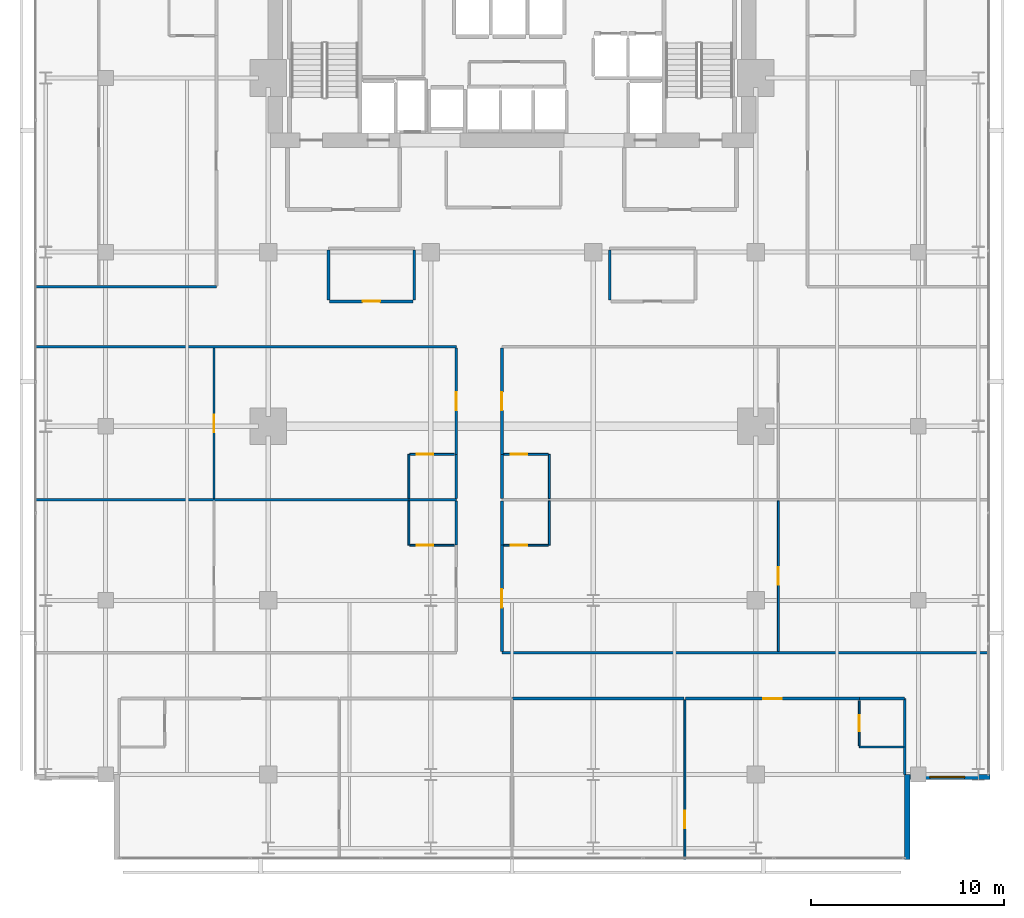
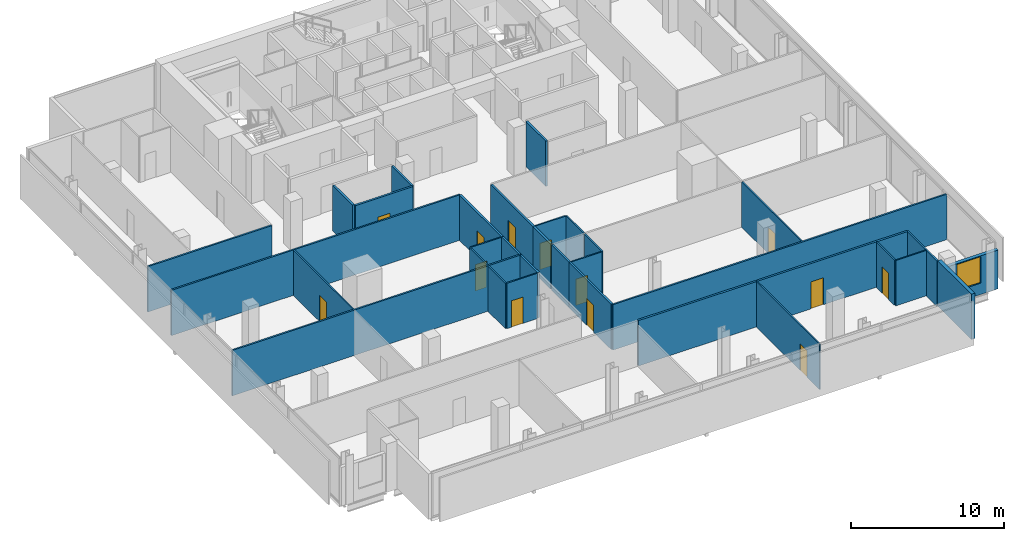
# One storey, part 27 of 32: 34 walls, 13 doors, 1 window, 14 openings.
"""IFC4 building model written with IfcOpenShell, lengths in metres."""

from ifc_helpers import new_model, si_unit, direction, frame, frame_2d, origin, place, context, subcontext, project, spatial, rectangle, extrude, material, layer, layer_set, type_object, element, fill, save


model = new_model("IFC4")

# Units and contexts
model_context = context("Model", 3, precision=1e-05, world=origin(), true_north=direction((0.0, 1.0)))
body_context = subcontext(model_context, "Body", "Model", "MODEL_VIEW")
ifc_project = project(units=[si_unit("LENGTHUNIT", "METRE"), si_unit("AREAUNIT", "SQUARE_METRE"), si_unit("VOLUMEUNIT", "CUBIC_METRE"), si_unit("PLANEANGLEUNIT", "RADIAN"), si_unit("MASSUNIT", "GRAM", prefix="KILO")], contexts=[model_context])

# Site, building, storey
site_placement = place(None, origin())
site = spatial("IfcSite", under=ifc_project, at=site_placement, CompositionType="ELEMENT")
building_placement = place(site_placement, origin())
building = spatial("IfcBuilding", under=site, at=building_placement, Name="Maruvema Waterfront Hotel and Observation Tower", CompositionType="ELEMENT")
storey_placement = place(building_placement, frame((0.0, 0.0, 219.800048828125)))
storey = spatial("IfcBuildingStorey", under=building, at=storey_placement, Name="L54", CompositionType="ELEMENT", Elevation=219.800048828125)

# Walls
ifc_material_1 = material(Name="Twin-stud acoustic gypsum drywall", Category="gypsum")
ifc_layer_1 = layer(ifc_material_1, 0.14990234375, Name="Acoustic Corridor and Suite Demising Wall 150 mm")
ifc_layer_set_1 = layer_set([ifc_layer_1], Name="Twin-stud acoustic gypsum drywall")
wall_type_1 = type_object("IfcWallType", Name="Acoustic Corridor and Suite Demising Wall 150 mm", PredefinedType="PARTITIONING", material=ifc_layer_set_1)
for number, where, z_axis, x_axis, name in (
    (1, (28.320068359375, 33.530029296875, 0.0), (0.0, 0.0, 1.0), (0.0, 1.0, 0.0), "L54 L54-M1 West Wall 022"),
    (2, (32.75, 33.530029296875, 0.0), (0.0, 0.0, 1.0), (0.0, 1.0, 0.0), "L54 L54-M1 East Wall 023"),
):
    element("IfcWall", number, at=place(storey_placement, frame(where, z_axis=z_axis, x_axis=x_axis)), inside=storey, type_object=wall_type_1, Name=name, PredefinedType="PARTITIONING", context=body_context, shape_type="SweptSolid", body=[
        extrude(rectangle(XDim=2.590087890625, YDim=0.14990234375, at=frame_2d((1.294921875, 0.0))), origin(), (0.0, 0.0, 1.0), 3.60986328125),
    ])

# Wall, opening, door
wall_1_placement = place(storey_placement, frame((28.3798828125, 33.449951171875, 0.0), z_axis=(0.0, 0.0, 1.0), x_axis=(1.0, 0.0, 0.0)))
wall_1 = element("IfcWall", 3, at=wall_1_placement, inside=storey, type_object=wall_type_1, Name="L54 L54-M1 Front 1 024", PredefinedType="PARTITIONING", context=body_context, shape_type="SweptSolid", body=[
    extrude(rectangle(XDim=4.31005859375, YDim=0.14990234375, at=frame_2d((2.155029296875, 0.0))), origin(), (0.0, 0.0, 1.0), 3.60986328125),
])
opening_1_placement = place(wall_1_placement, frame((1.705078125, 0.0, 0.0)))
opening_1 = element("IfcOpeningElement", 4, at=opening_1_placement, cuts=wall_1, Name="Opening DR-090", PredefinedType="OPENING", context=body_context, shape_type="SweptSolid", body=[
    extrude(rectangle(XDim=0.89990234375, YDim=2.10009765625, at=frame_2d((0.449951171875, 1.050048828125))), frame((0.0, 0.0849609375, 0.0), z_axis=(0.0, -1.0, 0.0), x_axis=(1.0, 0.0, 0.0)), (0.0, 0.0, 1.0), 0.169921875),
])
ifc_material_2 = material(Name="Solid-core lacquered timber leaf", Category="wood")
door_type_1 = type_object("IfcDoorType", Name="Accessible Toilet and Room Door 900x2100 mm", OperationType="NOTDEFINED", PredefinedType="DOOR", material=ifc_material_2)
door_1_placement = place(opening_1_placement, frame((0.89990234375, 0.0, 0.0), z_axis=(0.0, 0.0, 1.0), x_axis=(-1.0, 0.0, 0.0)))
door_1 = element("IfcDoor", 5, at=door_1_placement, inside=storey, type_object=door_type_1, Name="L54 Ambassador Lounge 1 Door", OperationType="SINGLE_SWING_RIGHT", OverallHeight=2.10009765625, OverallWidth=0.89990234375, PredefinedType="DOOR", context=body_context, shape_type="SweptSolid", body=[
    extrude(rectangle(XDim=0.89990234375, YDim=2.10009765625, at=frame_2d((0.449951171875, 1.050048828125))), frame((0.0, 0.02490234375, 0.0), z_axis=(0.0, -1.0, 0.0), x_axis=(1.0, 0.0, 0.0)), (0.0, 0.0, 1.0), 0.050048828125),
])
fill(opening_1, door_1)

# Walls
wall_2_placement = place(storey_placement, frame((42.85009765625, 33.530029296875, 0.0), z_axis=(0.0, 0.0, 1.0), x_axis=(0.0, 1.0, 0.0)))
element("IfcWall", 6, at=wall_2_placement, inside=storey, type_object=wall_type_1, Name="L54 L54-M2 West Wall 026", PredefinedType="PARTITIONING", context=body_context, shape_type="SweptSolid", body=[
    extrude(rectangle(XDim=2.590087890625, YDim=0.14990234375, at=frame_2d((1.294921875, 0.0))), origin(), (0.0, 0.0, 1.0), 3.60986328125),
])
wall_3_placement = place(storey_placement, frame((55.75, 12.919921875, 0.0), z_axis=(0.0, 0.0, 1.0), x_axis=(1.0, 0.0, 0.0)))
element("IfcWall", 7, at=wall_3_placement, inside=storey, type_object=wall_type_1, Name="L54 Bath L54-S2 Back Wall 038", PredefinedType="PARTITIONING", context=body_context, shape_type="SweptSolid", body=[
    extrude(rectangle(XDim=2.330078125, YDim=0.14990234375, at=frame_2d((1.1650390625, 0.0))), origin(), (0.0, 0.0, 1.0), 3.60986328125),
])
wall_4_placement = place(storey_placement, frame((37.820068359375, 12.919921875, 0.0), z_axis=(0.0, 0.0, 1.0), x_axis=(1.0, 0.0, 0.0)))
element("IfcWall", 8, at=wall_4_placement, inside=storey, type_object=wall_type_1, Name="L54 Bedroom L54-S2 Back Wall 041", PredefinedType="PARTITIONING", context=body_context, shape_type="SweptSolid", body=[
    extrude(rectangle(XDim=8.871826171875, YDim=0.14990234375, at=frame_2d((4.43603515625, 0.0))), origin(), (0.0, 0.0, 1.0), 3.60986328125),
])

# Wall, opening, door
wall_5_placement = place(storey_placement, frame((46.77197265625, 12.919921875, 0.0), z_axis=(0.0, 0.0, 1.0), x_axis=(1.0, 0.0, 0.0)))
wall_5 = element("IfcWall", 9, at=wall_5_placement, inside=storey, type_object=wall_type_1, Name="L54 Unit L54-S2 Corridor Wall 042", PredefinedType="PARTITIONING", context=body_context, shape_type="SweptSolid", body=[
    extrude(rectangle(XDim=8.97802734375, YDim=0.14990234375, at=frame_2d((4.489013671875, 0.0))), origin(), (0.0, 0.0, 1.0), 3.60986328125),
])
opening_2_placement = place(wall_5_placement, frame((4.013916015625, 0.0, 0.0)))
opening_2 = element("IfcOpeningElement", 10, at=opening_2_placement, cuts=wall_5, Name="Opening DR-095", PredefinedType="OPENING", context=body_context, shape_type="SweptSolid", body=[
    extrude(rectangle(XDim=0.949951171875, YDim=2.14990234375, at=frame_2d((0.47509765625, 1.074951171875))), frame((0.0, 0.0849609375, 0.0), z_axis=(0.0, -1.0, 0.0), x_axis=(1.0, 0.0, 0.0)), (0.0, 0.0, 1.0), 0.169921875),
])
ifc_material_3 = material(Name="Acoustic solid-core hardwood timber leaf", Category="wood")
door_type_2 = type_object("IfcDoorType", Name="Guestroom Entrance Fire Door 950x2150 mm", OperationType="NOTDEFINED", PredefinedType="DOOR", material=ifc_material_3)
door_2_placement = place(opening_2_placement, frame((0.949951171875, 0.0, 0.0), z_axis=(0.0, 0.0, 1.0), x_axis=(-1.0, 0.0, 0.0)))
door_2 = element("IfcDoor", 11, at=door_2_placement, inside=storey, type_object=door_type_2, Name="L54 Unit L54-S2 Entrance Door", OperationType="SINGLE_SWING_RIGHT", OverallHeight=2.14990234375, OverallWidth=0.949951171875, PredefinedType="DOOR", context=body_context, shape_type="SweptSolid", body=[
    extrude(rectangle(XDim=0.949951171875, YDim=2.14990234375, at=frame_2d((0.47509765625, 1.074951171875))), frame((0.0, 0.02490234375, 0.0), z_axis=(0.0, -1.0, 0.0), x_axis=(1.0, 0.0, 0.0)), (0.0, 0.0, 1.0), 0.050048828125),
])
fill(opening_2, door_2)

# Wall
wall_6_placement = place(storey_placement, frame((34.919921875, 20.85009765625, 0.0), z_axis=(0.0, 0.0, 1.0), x_axis=(0.0, 1.0, 0.0)))
element("IfcWall", 12, at=wall_6_placement, inside=storey, type_object=wall_type_1, Name="L54 Bath L54-W1 Wall 049", PredefinedType="PARTITIONING", context=body_context, shape_type="SweptSolid", body=[
    extrude(rectangle(XDim=2.289794921875, YDim=0.14990234375, at=frame_2d((1.14501953125, 0.0))), origin(), (0.0, 0.0, 1.0), 3.60986328125),
])

# Wall, opening, door
wall_7_placement = place(storey_placement, frame((37.280029296875, 15.360107421875, 0.0), z_axis=(0.0, 0.0, 1.0), x_axis=(0.0, 1.0, 0.0)))
wall_7 = element("IfcWall", 13, at=wall_7_placement, inside=storey, type_object=wall_type_1, Name="L54 Room L54-E1 Corridor Wall 053", PredefinedType="PARTITIONING", context=body_context, shape_type="SweptSolid", body=[
    extrude(rectangle(XDim=5.489990234375, YDim=0.14990234375, at=frame_2d((2.7451171875, 0.0))), origin(), (0.0, 0.0, 1.0), 3.60986328125),
])
opening_3_placement = place(wall_7_placement, frame((2.27001953125, 0.0, 0.0)))
opening_3 = element("IfcOpeningElement", 14, at=opening_3_placement, cuts=wall_7, Name="Opening DR-095", PredefinedType="OPENING", context=body_context, shape_type="SweptSolid", body=[
    extrude(rectangle(XDim=0.949951171875, YDim=2.14990234375, at=frame_2d((0.47509765625, 1.074951171875))), frame((0.0, 0.0849609375, 0.0), z_axis=(0.0, -1.0, 0.0), x_axis=(1.0, 0.0, 0.0)), (0.0, 0.0, 1.0), 0.169921875),
])
door_3_placement = place(opening_3_placement, frame((0.949951171875, 0.0, 0.0), z_axis=(0.0, 0.0, 1.0), x_axis=(-1.0, 0.0, 0.0)))
door_3 = element("IfcDoor", 15, at=door_3_placement, inside=storey, type_object=door_type_2, Name="L54 Room L54-E1 Entrance Door", OperationType="SINGLE_SWING_RIGHT", OverallHeight=2.14990234375, OverallWidth=0.949951171875, PredefinedType="DOOR", context=body_context, shape_type="SweptSolid", body=[
    extrude(rectangle(XDim=0.949951171875, YDim=2.14990234375, at=frame_2d((0.47509765625, 1.074951171875))), frame((0.0, 0.02490234375, 0.0), z_axis=(0.0, -1.0, 0.0), x_axis=(1.0, 0.0, 0.0)), (0.0, 0.0, 1.0), 0.050048828125),
])
fill(opening_3, door_3)

# Walls
wall_8_placement = place(storey_placement, frame((37.280029296875, 20.85009765625, 0.0), z_axis=(0.0, 0.0, 1.0), x_axis=(0.0, 1.0, 0.0)))
element("IfcWall", 16, at=wall_8_placement, inside=storey, type_object=wall_type_1, Name="L54 Bath L54-E1 Wall 054", PredefinedType="PARTITIONING", context=body_context, shape_type="SweptSolid", body=[
    extrude(rectangle(XDim=2.289794921875, YDim=0.14990234375, at=frame_2d((1.14501953125, 0.0))), origin(), (0.0, 0.0, 1.0), 3.60986328125),
])
wall_9_placement = place(storey_placement, frame((34.919921875, 23.260009765625, 0.0), z_axis=(0.0, 0.0, 1.0), x_axis=(0.0, 1.0, 0.0)))
element("IfcWall", 17, at=wall_9_placement, inside=storey, type_object=wall_type_1, Name="L54 Bath L54-W2 Wall 060", PredefinedType="PARTITIONING", context=body_context, shape_type="SweptSolid", body=[
    extrude(rectangle(XDim=2.2900390625, YDim=0.14990234375, at=frame_2d((1.14501953125, 0.0))), origin(), (0.0, 0.0, 1.0), 3.60986328125),
])

# Wall, opening, door
wall_10_placement = place(storey_placement, frame((34.919921875, 25.550048828125, 0.0), z_axis=(0.0, 0.0, 1.0), x_axis=(0.0, 1.0, 0.0)))
wall_10 = element("IfcWall", 18, at=wall_10_placement, inside=storey, type_object=wall_type_1, Name="L54 Room L54-W2 Corridor Wall 061", PredefinedType="PARTITIONING", context=body_context, shape_type="SweptSolid", body=[
    extrude(rectangle(XDim=5.489990234375, YDim=0.14990234375, at=frame_2d((2.7451171875, 0.0))), origin(), (0.0, 0.0, 1.0), 3.60986328125),
])
opening_4_placement = place(wall_10_placement, frame((2.27001953125, 0.0, 0.0)))
opening_4 = element("IfcOpeningElement", 19, at=opening_4_placement, cuts=wall_10, Name="Opening DR-095", PredefinedType="OPENING", context=body_context, shape_type="SweptSolid", body=[
    extrude(rectangle(XDim=0.949951171875, YDim=2.14990234375, at=frame_2d((0.47509765625, 1.074951171875))), frame((0.0, 0.0849609375, 0.0), z_axis=(0.0, -1.0, 0.0), x_axis=(1.0, 0.0, 0.0)), (0.0, 0.0, 1.0), 0.169921875),
])
door_4_placement = place(opening_4_placement, origin())
door_4 = element("IfcDoor", 20, at=door_4_placement, inside=storey, type_object=door_type_2, Name="L54 Room L54-W2 Entrance Door", OperationType="SINGLE_SWING_LEFT", OverallHeight=2.14990234375, OverallWidth=0.949951171875, PredefinedType="DOOR", context=body_context, shape_type="SweptSolid", body=[
    extrude(rectangle(XDim=0.949951171875, YDim=2.14990234375, at=frame_2d((0.47509765625, 1.074951171875))), frame((0.0, 0.02490234375, 0.0), z_axis=(0.0, -1.0, 0.0), x_axis=(1.0, 0.0, 0.0)), (0.0, 0.0, 1.0), 0.050048828125),
])
fill(opening_4, door_4)

# Wall
wall_11_placement = place(storey_placement, frame((37.280029296875, 23.260009765625, 0.0), z_axis=(0.0, 0.0, 1.0), x_axis=(0.0, 1.0, 0.0)))
element("IfcWall", 21, at=wall_11_placement, inside=storey, type_object=wall_type_1, Name="L54 Bath L54-E2 Wall 065", PredefinedType="PARTITIONING", context=body_context, shape_type="SweptSolid", body=[
    extrude(rectangle(XDim=2.2900390625, YDim=0.14990234375, at=frame_2d((1.14501953125, 0.0))), origin(), (0.0, 0.0, 1.0), 3.60986328125),
])

# Wall, opening, door
wall_12_placement = place(storey_placement, frame((37.280029296875, 25.550048828125, 0.0), z_axis=(0.0, 0.0, 1.0), x_axis=(0.0, 1.0, 0.0)))
wall_12 = element("IfcWall", 22, at=wall_12_placement, inside=storey, type_object=wall_type_1, Name="L54 Room L54-E2 Corridor Wall 066", PredefinedType="PARTITIONING", context=body_context, shape_type="SweptSolid", body=[
    extrude(rectangle(XDim=5.489990234375, YDim=0.14990234375, at=frame_2d((2.7451171875, 0.0))), origin(), (0.0, 0.0, 1.0), 3.60986328125),
])
opening_5_placement = place(wall_12_placement, frame((2.27001953125, 0.0, 0.0)))
opening_5 = element("IfcOpeningElement", 23, at=opening_5_placement, cuts=wall_12, Name="Opening DR-095", PredefinedType="OPENING", context=body_context, shape_type="SweptSolid", body=[
    extrude(rectangle(XDim=0.949951171875, YDim=2.14990234375, at=frame_2d((0.47509765625, 1.074951171875))), frame((0.0, 0.0849609375, 0.0), z_axis=(0.0, -1.0, 0.0), x_axis=(1.0, 0.0, 0.0)), (0.0, 0.0, 1.0), 0.169921875),
])
door_5_placement = place(opening_5_placement, frame((0.949951171875, 0.0, 0.0), z_axis=(0.0, 0.0, 1.0), x_axis=(-1.0, 0.0, 0.0)))
door_5 = element("IfcDoor", 24, at=door_5_placement, inside=storey, type_object=door_type_2, Name="L54 Room L54-E2 Entrance Door", OperationType="SINGLE_SWING_RIGHT", OverallHeight=2.14990234375, OverallWidth=0.949951171875, PredefinedType="DOOR", context=body_context, shape_type="SweptSolid", body=[
    extrude(rectangle(XDim=0.949951171875, YDim=2.14990234375, at=frame_2d((0.47509765625, 1.074951171875))), frame((0.0, 0.02490234375, 0.0), z_axis=(0.0, -1.0, 0.0), x_axis=(1.0, 0.0, 0.0)), (0.0, 0.0, 1.0), 0.050048828125),
])
fill(opening_5, door_5)

# Wall
ifc_material_4 = material(Name="Moisture-resistant cement-board drywall", Category="gypsum")
ifc_layer_2 = layer(ifc_material_4, 0.10009765625, Name="En-Suite Moisture-Resistant Partition 100 mm")
ifc_layer_set_2 = layer_set([ifc_layer_2], Name="Moisture-resistant cement-board drywall")
wall_type_2 = type_object("IfcWallType", Name="En-Suite Moisture-Resistant Partition 100 mm", PredefinedType="PARTITIONING", material=ifc_layer_set_2)
wall_13_placement = place(storey_placement, frame((55.75, 10.419921875, 0.0), z_axis=(0.0, 0.0, 1.0), x_axis=(1.0, 0.0, 0.0)))
element("IfcWall", 25, at=wall_13_placement, inside=storey, type_object=wall_type_2, Name="L54 En-Suite L54-S2 South 039", PredefinedType="PARTITIONING", context=body_context, shape_type="SweptSolid", body=[
    extrude(rectangle(XDim=2.31005859375, YDim=0.10009765625, at=frame_2d((1.155029296875, 0.0))), origin(), (0.0, 0.0, 1.0), 3.60986328125),
])

# Wall, opening, door
wall_14_placement = place(storey_placement, frame((55.75, 10.47998046875, 0.0), z_axis=(0.0, 0.0, 1.0), x_axis=(0.0, 1.0, 0.0)))
wall_14 = element("IfcWall", 26, at=wall_14_placement, inside=storey, type_object=wall_type_2, Name="L54 En-Suite L54-S2 West 040", PredefinedType="PARTITIONING", context=body_context, shape_type="SweptSolid", body=[
    extrude(rectangle(XDim=2.340087890625, YDim=0.10009765625, at=frame_2d((1.169921875, 0.0))), origin(), (0.0, 0.0, 1.0), 3.60986328125),
])
opening_6_placement = place(wall_14_placement, frame((0.7451171875, 0.0, 0.0)))
opening_6 = element("IfcOpeningElement", 27, at=opening_6_placement, cuts=wall_14, Name="Opening DR-085", PredefinedType="OPENING", context=body_context, shape_type="SweptSolid", body=[
    extrude(rectangle(XDim=0.85009765625, YDim=2.10009765625, at=frame_2d((0.425048828125, 1.050048828125))), frame((0.0, 0.06005859375, 0.0), z_axis=(0.0, -1.0, 0.0), x_axis=(1.0, 0.0, 0.0)), (0.0, 0.0, 1.0), 0.1201171875),
])
ifc_material_5 = material(Name="Moisture-resistant solid timber leaf", Category="wood")
door_type_3 = type_object("IfcDoorType", Name="En-Suite Bathroom Door 850x2100 mm", OperationType="NOTDEFINED", PredefinedType="DOOR", material=ifc_material_5)
door_6_placement = place(opening_6_placement, origin())
door_6 = element("IfcDoor", 28, at=door_6_placement, inside=storey, type_object=door_type_3, Name="L54 En-Suite L54-S2 Door", OperationType="SINGLE_SWING_LEFT", OverallHeight=2.10009765625, OverallWidth=0.85009765625, PredefinedType="DOOR", context=body_context, shape_type="SweptSolid", body=[
    extrude(rectangle(XDim=0.85009765625, YDim=2.10009765625, at=frame_2d((0.425048828125, 1.050048828125))), frame((0.0, 0.02490234375, 0.0), z_axis=(0.0, -1.0, 0.0), x_axis=(1.0, 0.0, 0.0)), (0.0, 0.0, 1.0), 0.050048828125),
])
fill(opening_6, door_6)

wall_15_placement = place(storey_placement, frame((46.73193359375, 4.6298828125, 0.0), z_axis=(0.0, 0.0, 1.0), x_axis=(0.0, 1.0, 0.0)))
wall_15 = element("IfcWall", 29, at=wall_15_placement, inside=storey, type_object=wall_type_2, Name="L54 Suite L54-S2 Split 043", PredefinedType="PARTITIONING", context=body_context, shape_type="SweptSolid", body=[
    extrude(rectangle(XDim=8.230224609375, YDim=0.10009765625, at=frame_2d((4.115234375, 0.0))), origin(), (0.0, 0.0, 1.0), 3.60986328125),
])
opening_7_placement = place(wall_15_placement, frame((1.60009765625, 0.0, 0.0)))
opening_7 = element("IfcOpeningElement", 30, at=opening_7_placement, cuts=wall_15, Name="Opening DR-090", PredefinedType="OPENING", context=body_context, shape_type="SweptSolid", body=[
    extrude(rectangle(XDim=0.89990234375, YDim=2.10009765625, at=frame_2d((0.449951171875, 1.050048828125))), frame((0.0, 0.06005859375, 0.0), z_axis=(0.0, -1.0, 0.0), x_axis=(1.0, 0.0, 0.0)), (0.0, 0.0, 1.0), 0.1201171875),
])
door_7_placement = place(opening_7_placement, frame((0.89990234375, 0.0, 0.0), z_axis=(0.0, 0.0, 1.0), x_axis=(-1.0, 0.0, 0.0)))
door_7 = element("IfcDoor", 31, at=door_7_placement, inside=storey, type_object=door_type_1, Name="L54 Suite L54-S2 Bedroom Door", OperationType="SINGLE_SWING_LEFT", OverallHeight=2.10009765625, OverallWidth=0.89990234375, PredefinedType="DOOR", context=body_context, shape_type="SweptSolid", body=[
    extrude(rectangle(XDim=0.89990234375, YDim=2.10009765625, at=frame_2d((0.449951171875, 1.050048828125))), frame((0.0, 0.02490234375, 0.0), z_axis=(0.0, -1.0, 0.0), x_axis=(1.0, 0.0, 0.0)), (0.0, 0.0, 1.0), 0.050048828125),
])
fill(opening_7, door_7)

# Wall
wall_16_placement = place(storey_placement, frame((32.469970703125, 20.85009765625, 0.0), z_axis=(0.0, 0.0, 1.0), x_axis=(0.0, 1.0, 0.0)))
element("IfcWall", 32, at=wall_16_placement, inside=storey, type_object=wall_type_2, Name="L54 En-Suite L54-W1 W 050", PredefinedType="PARTITIONING", context=body_context, shape_type="SweptSolid", body=[
    extrude(rectangle(XDim=2.289794921875, YDim=0.10009765625, at=frame_2d((1.14501953125, 0.0))), origin(), (0.0, 0.0, 1.0), 3.60986328125),
])

# Wall, opening, door
wall_17_placement = place(storey_placement, frame((32.52001953125, 20.85009765625, 0.0), z_axis=(0.0, 0.0, 1.0), x_axis=(1.0, 0.0, 0.0)))
wall_17 = element("IfcWall", 33, at=wall_17_placement, inside=storey, type_object=wall_type_2, Name="L54 En-Suite L54-W1 S 051", PredefinedType="PARTITIONING", context=body_context, shape_type="SweptSolid", body=[
    extrude(rectangle(XDim=2.300048828125, YDim=0.10009765625, at=frame_2d((1.14990234375, 0.0))), origin(), (0.0, 0.0, 1.0), 3.60986328125),
])
opening_8_placement = place(wall_17_placement, frame((0.35009765625, 0.0, 0.0)))
opening_8 = element("IfcOpeningElement", 34, at=opening_8_placement, cuts=wall_17, Name="Opening DR-085", PredefinedType="OPENING", context=body_context, shape_type="SweptSolid", body=[
    extrude(rectangle(XDim=0.85009765625, YDim=2.10009765625, at=frame_2d((0.425048828125, 1.050048828125))), frame((0.0, 0.06005859375, 0.0), z_axis=(0.0, -1.0, 0.0), x_axis=(1.0, 0.0, 0.0)), (0.0, 0.0, 1.0), 0.1201171875),
])
door_8_placement = place(opening_8_placement, frame((0.85009765625, 0.0, 0.0), z_axis=(0.0, 0.0, 1.0), x_axis=(-1.0, 0.0, 0.0)))
door_8 = element("IfcDoor", 35, at=door_8_placement, inside=storey, type_object=door_type_3, Name="L54 En-Suite L54-W1 Door", OperationType="SINGLE_SWING_RIGHT", OverallHeight=2.10009765625, OverallWidth=0.85009765625, PredefinedType="DOOR", context=body_context, shape_type="SweptSolid", body=[
    extrude(rectangle(XDim=0.85009765625, YDim=2.10009765625, at=frame_2d((0.425048828125, 1.050048828125))), frame((0.0, 0.02490234375, 0.0), z_axis=(0.0, -1.0, 0.0), x_axis=(1.0, 0.0, 0.0)), (0.0, 0.0, 1.0), 0.050048828125),
])
fill(opening_8, door_8)

# Wall
wall_18_placement = place(storey_placement, frame((39.72998046875, 20.85009765625, 0.0), z_axis=(0.0, 0.0, 1.0), x_axis=(0.0, 1.0, 0.0)))
element("IfcWall", 36, at=wall_18_placement, inside=storey, type_object=wall_type_2, Name="L54 En-Suite L54-E1 E 055", PredefinedType="PARTITIONING", context=body_context, shape_type="SweptSolid", body=[
    extrude(rectangle(XDim=2.289794921875, YDim=0.10009765625, at=frame_2d((1.14501953125, 0.0))), origin(), (0.0, 0.0, 1.0), 3.60986328125),
])

# Wall, opening, door
wall_19_placement = place(storey_placement, frame((37.3798828125, 20.85009765625, 0.0), z_axis=(0.0, 0.0, 1.0), x_axis=(1.0, 0.0, 0.0)))
wall_19 = element("IfcWall", 37, at=wall_19_placement, inside=storey, type_object=wall_type_2, Name="L54 En-Suite L54-E1 S 056", PredefinedType="PARTITIONING", context=body_context, shape_type="SweptSolid", body=[
    extrude(rectangle(XDim=2.300048828125, YDim=0.10009765625, at=frame_2d((1.14990234375, 0.0))), origin(), (0.0, 0.0, 1.0), 3.60986328125),
])
opening_9_placement = place(wall_19_placement, frame((0.35009765625, 0.0, 0.0)))
opening_9 = element("IfcOpeningElement", 38, at=opening_9_placement, cuts=wall_19, Name="Opening DR-085", PredefinedType="OPENING", context=body_context, shape_type="SweptSolid", body=[
    extrude(rectangle(XDim=0.85009765625, YDim=2.10009765625, at=frame_2d((0.425048828125, 1.050048828125))), frame((0.0, 0.06005859375, 0.0), z_axis=(0.0, -1.0, 0.0), x_axis=(1.0, 0.0, 0.0)), (0.0, 0.0, 1.0), 0.1201171875),
])
door_9_placement = place(opening_9_placement, frame((0.85009765625, 0.0, 0.0), z_axis=(0.0, 0.0, 1.0), x_axis=(-1.0, 0.0, 0.0)))
door_9 = element("IfcDoor", 39, at=door_9_placement, inside=storey, type_object=door_type_3, Name="L54 En-Suite L54-E1 Door", OperationType="SINGLE_SWING_LEFT", OverallHeight=2.10009765625, OverallWidth=0.85009765625, PredefinedType="DOOR", context=body_context, shape_type="SweptSolid", body=[
    extrude(rectangle(XDim=0.85009765625, YDim=2.10009765625, at=frame_2d((0.425048828125, 1.050048828125))), frame((0.0, 0.02490234375, 0.0), z_axis=(0.0, -1.0, 0.0), x_axis=(1.0, 0.0, 0.0)), (0.0, 0.0, 1.0), 0.050048828125),
])
fill(opening_9, door_9)

wall_20_placement = place(storey_placement, frame((51.5703125, 15.360107421875, 0.0), z_axis=(0.0, 0.0, 1.0), x_axis=(0.0, 1.0, 0.0)))
wall_20 = element("IfcWall", 40, at=wall_20_placement, inside=storey, type_object=wall_type_2, Name="L54 Suite L54-E1 Split 057", PredefinedType="PARTITIONING", context=body_context, shape_type="SweptSolid", body=[
    extrude(rectangle(XDim=7.77978515625, YDim=0.10009765625, at=frame_2d((3.889892578125, 0.0))), origin(), (0.0, 0.0, 1.0), 3.60986328125),
])
opening_10_placement = place(wall_20_placement, frame((3.43994140625, 0.0, 0.0)))
opening_10 = element("IfcOpeningElement", 41, at=opening_10_placement, cuts=wall_20, Name="Opening DR-090", PredefinedType="OPENING", context=body_context, shape_type="SweptSolid", body=[
    extrude(rectangle(XDim=0.89990234375, YDim=2.10009765625, at=frame_2d((0.449951171875, 1.050048828125))), frame((0.0, 0.06005859375, 0.0), z_axis=(0.0, -1.0, 0.0), x_axis=(1.0, 0.0, 0.0)), (0.0, 0.0, 1.0), 0.1201171875),
])
door_10_placement = place(opening_10_placement, frame((0.89990234375, 0.0, 0.0), z_axis=(0.0, 0.0, 1.0), x_axis=(-1.0, 0.0, 0.0)))
door_10 = element("IfcDoor", 42, at=door_10_placement, inside=storey, type_object=door_type_1, Name="L54 Suite L54-E1 Bedroom Door", OperationType="SINGLE_SWING_LEFT", OverallHeight=2.10009765625, OverallWidth=0.89990234375, PredefinedType="DOOR", context=body_context, shape_type="SweptSolid", body=[
    extrude(rectangle(XDim=0.89990234375, YDim=2.10009765625, at=frame_2d((0.449951171875, 1.050048828125))), frame((0.0, 0.02490234375, 0.0), z_axis=(0.0, -1.0, 0.0), x_axis=(1.0, 0.0, 0.0)), (0.0, 0.0, 1.0), 0.050048828125),
])
fill(opening_10, door_10)

# Wall
wall_21_placement = place(storey_placement, frame((32.469970703125, 23.260009765625, 0.0), z_axis=(0.0, 0.0, 1.0), x_axis=(0.0, 1.0, 0.0)))
element("IfcWall", 43, at=wall_21_placement, inside=storey, type_object=wall_type_2, Name="L54 En-Suite L54-W2 W 062", PredefinedType="PARTITIONING", context=body_context, shape_type="SweptSolid", body=[
    extrude(rectangle(XDim=2.2900390625, YDim=0.10009765625, at=frame_2d((1.14501953125, 0.0))), origin(), (0.0, 0.0, 1.0), 3.60986328125),
])

# Wall, opening, door
wall_22_placement = place(storey_placement, frame((32.52001953125, 25.550048828125, 0.0), z_axis=(0.0, 0.0, 1.0), x_axis=(1.0, 0.0, 0.0)))
wall_22 = element("IfcWall", 44, at=wall_22_placement, inside=storey, type_object=wall_type_2, Name="L54 En-Suite L54-W2 N 063", PredefinedType="PARTITIONING", context=body_context, shape_type="SweptSolid", body=[
    extrude(rectangle(XDim=2.300048828125, YDim=0.10009765625, at=frame_2d((1.14990234375, 0.0))), origin(), (0.0, 0.0, 1.0), 3.60986328125),
])
opening_11_placement = place(wall_22_placement, frame((0.35009765625, 0.0, 0.0)))
opening_11 = element("IfcOpeningElement", 45, at=opening_11_placement, cuts=wall_22, Name="Opening DR-085", PredefinedType="OPENING", context=body_context, shape_type="SweptSolid", body=[
    extrude(rectangle(XDim=0.85009765625, YDim=2.10009765625, at=frame_2d((0.425048828125, 1.050048828125))), frame((0.0, 0.06005859375, 0.0), z_axis=(0.0, -1.0, 0.0), x_axis=(1.0, 0.0, 0.0)), (0.0, 0.0, 1.0), 0.1201171875),
])
door_11_placement = place(opening_11_placement, origin())
door_11 = element("IfcDoor", 46, at=door_11_placement, inside=storey, type_object=door_type_3, Name="L54 En-Suite L54-W2 Door", OperationType="SINGLE_SWING_RIGHT", OverallHeight=2.10009765625, OverallWidth=0.85009765625, PredefinedType="DOOR", context=body_context, shape_type="SweptSolid", body=[
    extrude(rectangle(XDim=0.85009765625, YDim=2.10009765625, at=frame_2d((0.425048828125, 1.050048828125))), frame((0.0, 0.02490234375, 0.0), z_axis=(0.0, -1.0, 0.0), x_axis=(1.0, 0.0, 0.0)), (0.0, 0.0, 1.0), 0.050048828125),
])
fill(opening_11, door_11)

wall_23_placement = place(storey_placement, frame((22.397705078125, 23.260009765625, 0.0), z_axis=(0.0, 0.0, 1.0), x_axis=(0.0, 1.0, 0.0)))
wall_23 = element("IfcWall", 47, at=wall_23_placement, inside=storey, type_object=wall_type_2, Name="L54 Suite L54-W2 Split 064", PredefinedType="PARTITIONING", context=body_context, shape_type="SweptSolid", body=[
    extrude(rectangle(XDim=7.780029296875, YDim=0.10009765625, at=frame_2d((3.89013671875, 0.0))), origin(), (0.0, 0.0, 1.0), 3.60986328125),
])
opening_12_placement = place(wall_23_placement, frame((3.43994140625, 0.0, 0.0)))
opening_12 = element("IfcOpeningElement", 48, at=opening_12_placement, cuts=wall_23, Name="Opening DR-090", PredefinedType="OPENING", context=body_context, shape_type="SweptSolid", body=[
    extrude(rectangle(XDim=0.89990234375, YDim=2.10009765625, at=frame_2d((0.449951171875, 1.050048828125))), frame((0.0, 0.06005859375, 0.0), z_axis=(0.0, -1.0, 0.0), x_axis=(1.0, 0.0, 0.0)), (0.0, 0.0, 1.0), 0.1201171875),
])
door_12_placement = place(opening_12_placement, origin())
door_12 = element("IfcDoor", 49, at=door_12_placement, inside=storey, type_object=door_type_1, Name="L54 Suite L54-W2 Bedroom Door", OperationType="SINGLE_SWING_RIGHT", OverallHeight=2.10009765625, OverallWidth=0.89990234375, PredefinedType="DOOR", context=body_context, shape_type="SweptSolid", body=[
    extrude(rectangle(XDim=0.89990234375, YDim=2.10009765625, at=frame_2d((0.449951171875, 1.050048828125))), frame((0.0, 0.02490234375, 0.0), z_axis=(0.0, -1.0, 0.0), x_axis=(1.0, 0.0, 0.0)), (0.0, 0.0, 1.0), 0.050048828125),
])
fill(opening_12, door_12)

# Wall
wall_24_placement = place(storey_placement, frame((39.72998046875, 23.260009765625, 0.0), z_axis=(0.0, 0.0, 1.0), x_axis=(0.0, 1.0, 0.0)))
element("IfcWall", 50, at=wall_24_placement, inside=storey, type_object=wall_type_2, Name="L54 En-Suite L54-E2 E 067", PredefinedType="PARTITIONING", context=body_context, shape_type="SweptSolid", body=[
    extrude(rectangle(XDim=2.2900390625, YDim=0.10009765625, at=frame_2d((1.14501953125, 0.0))), origin(), (0.0, 0.0, 1.0), 3.60986328125),
])

# Wall, opening, door
wall_25_placement = place(storey_placement, frame((37.3798828125, 25.550048828125, 0.0), z_axis=(0.0, 0.0, 1.0), x_axis=(1.0, 0.0, 0.0)))
wall_25 = element("IfcWall", 51, at=wall_25_placement, inside=storey, type_object=wall_type_2, Name="L54 En-Suite L54-E2 N 068", PredefinedType="PARTITIONING", context=body_context, shape_type="SweptSolid", body=[
    extrude(rectangle(XDim=2.300048828125, YDim=0.10009765625, at=frame_2d((1.14990234375, 0.0))), origin(), (0.0, 0.0, 1.0), 3.60986328125),
])
opening_13_placement = place(wall_25_placement, frame((0.35009765625, 0.0, 0.0)))
opening_13 = element("IfcOpeningElement", 52, at=opening_13_placement, cuts=wall_25, Name="Opening DR-085", PredefinedType="OPENING", context=body_context, shape_type="SweptSolid", body=[
    extrude(rectangle(XDim=0.85009765625, YDim=2.10009765625, at=frame_2d((0.425048828125, 1.050048828125))), frame((0.0, 0.06005859375, 0.0), z_axis=(0.0, -1.0, 0.0), x_axis=(1.0, 0.0, 0.0)), (0.0, 0.0, 1.0), 0.1201171875),
])
door_13_placement = place(opening_13_placement, origin())
door_13 = element("IfcDoor", 53, at=door_13_placement, inside=storey, type_object=door_type_3, Name="L54 En-Suite L54-E2 Door", OperationType="SINGLE_SWING_LEFT", OverallHeight=2.10009765625, OverallWidth=0.85009765625, PredefinedType="DOOR", context=body_context, shape_type="SweptSolid", body=[
    extrude(rectangle(XDim=0.85009765625, YDim=2.10009765625, at=frame_2d((0.425048828125, 1.050048828125))), frame((0.0, 0.02490234375, 0.0), z_axis=(0.0, -1.0, 0.0), x_axis=(1.0, 0.0, 0.0)), (0.0, 0.0, 1.0), 0.050048828125),
])
fill(opening_13, door_13)

# Wall
ifc_material_6 = material(Name="Precast concrete C45/55 with honed Pernambuco granite facing", Category="masonry")
ifc_layer_3 = layer(ifc_material_6, 0.260009765625, Name="Exterior Granite Clad Spandrel and Pier Wall 260 mm")
ifc_layer_set_3 = layer_set([ifc_layer_3], Name="Precast concrete C45/55 with honed Pernambuco granite facing")
wall_type_3 = type_object("IfcWallType", Name="Exterior Granite Clad Spandrel and Pier Wall 260 mm", PredefinedType="SOLIDWALL", material=ifc_layer_set_3)
wall_26_placement = place(storey_placement, frame((58.22998046875, 9.0, 0.0), z_axis=(0.0, 0.0, 1.0), x_axis=(0.0, -1.0, 0.0)))
element("IfcWall", 54, at=wall_26_placement, inside=storey, type_object=wall_type_3, Name="L54 Corner Notch Granite Pier Wall SE1", PredefinedType="SOLIDWALL", context=body_context, shape_type="SweptSolid", body=[
    extrude(rectangle(XDim=4.39990234375, YDim=0.260009765625, at=frame_2d((2.199951171875, 0.0))), origin(), (0.0, 0.0, 1.0), 3.60986328125),
])

# Wall, opening, window
wall_27_placement = place(storey_placement, frame((62.5, 8.8701171875, 0.0), z_axis=(0.0, 0.0, 1.0), x_axis=(-1.0, 0.0, 0.0)))
wall_27 = element("IfcWall", 55, at=wall_27_placement, inside=storey, type_object=wall_type_3, Name="L54 Corner Notch Granite Pier Wall SE2", PredefinedType="SOLIDWALL", context=body_context, shape_type="SweptSolid", body=[
    extrude(rectangle(XDim=4.39990234375, YDim=0.260009765625, at=frame_2d((2.199951171875, 0.0))), origin(), (0.0, 0.0, 1.0), 3.071044921875),
])
opening_14_placement = place(wall_27_placement, frame((1.300048828125, 0.0, 0.89990234375)))
opening_14 = element("IfcOpeningElement", 56, at=opening_14_placement, cuts=wall_27, Name="Opening WN-02", PredefinedType="OPENING", context=body_context, shape_type="SweptSolid", body=[
    extrude(rectangle(XDim=1.800048828125, YDim=2.10009765625, at=frame_2d((0.89990234375, 1.050048828125))), frame((0.0, 0.14013671875, 0.0), z_axis=(0.0, -1.0, 0.0), x_axis=(1.0, 0.0, 0.0)), (0.0, 0.0, 1.0), 0.280029296875),
])
ifc_material_7 = material(Name="Anodised bronze aluminium frame with laminated low-E glass", Category="aluminium")
window_type = type_object("IfcWindowType", Name="Upper Notch Feature Window 1800x2100 mm", PartitioningType="SINGLE_PANEL", PredefinedType="WINDOW", material=ifc_material_7)
window_placement = place(opening_14_placement, origin())
window = element("IfcWindow", 57, at=window_placement, inside=storey, type_object=window_type, Name="L54 Corner Notch Punched Window SE2", OverallHeight=2.10009765625, OverallWidth=1.800048828125, PartitioningType="SINGLE_PANEL", PredefinedType="WINDOW", context=body_context, shape_type="SweptSolid", body=[
    extrude(rectangle(XDim=1.800048828125, YDim=2.10009765625, at=frame_2d((0.89990234375, 1.050048828125))), frame((0.0, 0.030029296875, 0.0), z_axis=(0.0, -1.0, 0.0), x_axis=(1.0, 0.0, 0.0)), (0.0, 0.0, 1.0), 0.06005859375),
])
fill(opening_14, window)

# Walls
ifc_material_8 = material(Name="Acoustic gypsum plasterboard drywall", Category="gypsum")
ifc_layer_4 = layer(ifc_material_8, 0.125, Name="Guestroom Acoustic Demising Wall 125 mm")
ifc_layer_set_4 = layer_set([ifc_layer_4], Name="Acoustic gypsum plasterboard drywall")
wall_type_4 = type_object("IfcWallType", Name="Guestroom Acoustic Demising Wall 125 mm", PredefinedType="PARTITIONING", material=ifc_layer_set_4)
wall_28_placement = place(storey_placement, frame((58.10009765625, 9.0, 0.0), z_axis=(0.0, 0.0, 1.0), x_axis=(0.0, 1.0, 0.0)))
element("IfcWall", 58, at=wall_28_placement, inside=storey, type_object=wall_type_4, Name="L54 Z2 S East End 030", PredefinedType="PARTITIONING", context=body_context, shape_type="SweptSolid", body=[
    extrude(rectangle(XDim=3.919921875, YDim=0.125, at=frame_2d((1.9599609375, 0.0))), origin(), (0.0, 0.0, 1.0), 3.60986328125),
])
wall_29_placement = place(storey_placement, frame((37.280029296875, 15.300048828125, 0.0), z_axis=(0.0, 0.0, 1.0), x_axis=(1.0, 0.0, 0.0)))
element("IfcWall", 59, at=wall_29_placement, inside=storey, type_object=wall_type_4, Name="L54 Z2 E Bot End 045", PredefinedType="PARTITIONING", context=body_context, shape_type="SweptSolid", body=[
    extrude(rectangle(XDim=25.119873046875, YDim=0.125, at=frame_2d((12.56005859375, 0.0))), origin(), (0.0, 0.0, 1.0), 3.60986328125),
])
for number, where, z_axis, x_axis, name in (
    (60, (13.199951171875, 31.10009765625, 0.0), (0.0, 0.0, 1.0), (1.0, 0.0, 0.0), "L54 Z2 W Top End 046"),
    (61, (13.199951171875, 23.199951171875, 0.0), (0.0, 0.0, 1.0), (1.0, 0.0, 0.0), "L54 Z2 W Demising 2 058"),
):
    element("IfcWall", number, at=place(storey_placement, frame(where, z_axis=z_axis, x_axis=x_axis)), inside=storey, type_object=wall_type_4, Name=name, PredefinedType="PARTITIONING", context=body_context, shape_type="SweptSolid", body=[
        extrude(rectangle(XDim=21.719970703125, YDim=0.125, at=frame_2d((10.85986328125, 0.0))), origin(), (0.0, 0.0, 1.0), 3.60986328125),
    ])
wall_30_placement = place(storey_placement, frame((13.199951171875, 34.199951171875, 0.0), z_axis=(0.0, 0.0, 1.0), x_axis=(1.0, 0.0, 0.0)))
element("IfcWall", 62, at=wall_30_placement, inside=storey, type_object=wall_type_4, Name="L54 Z2 NW Bot End 070", PredefinedType="PARTITIONING", context=body_context, shape_type="SweptSolid", body=[
    extrude(rectangle(XDim=9.320068359375, YDim=0.125, at=frame_2d((4.66015625, 0.0))), origin(), (0.0, 0.0, 1.0), 3.60986328125),
])

save(model, "model.ifc")
